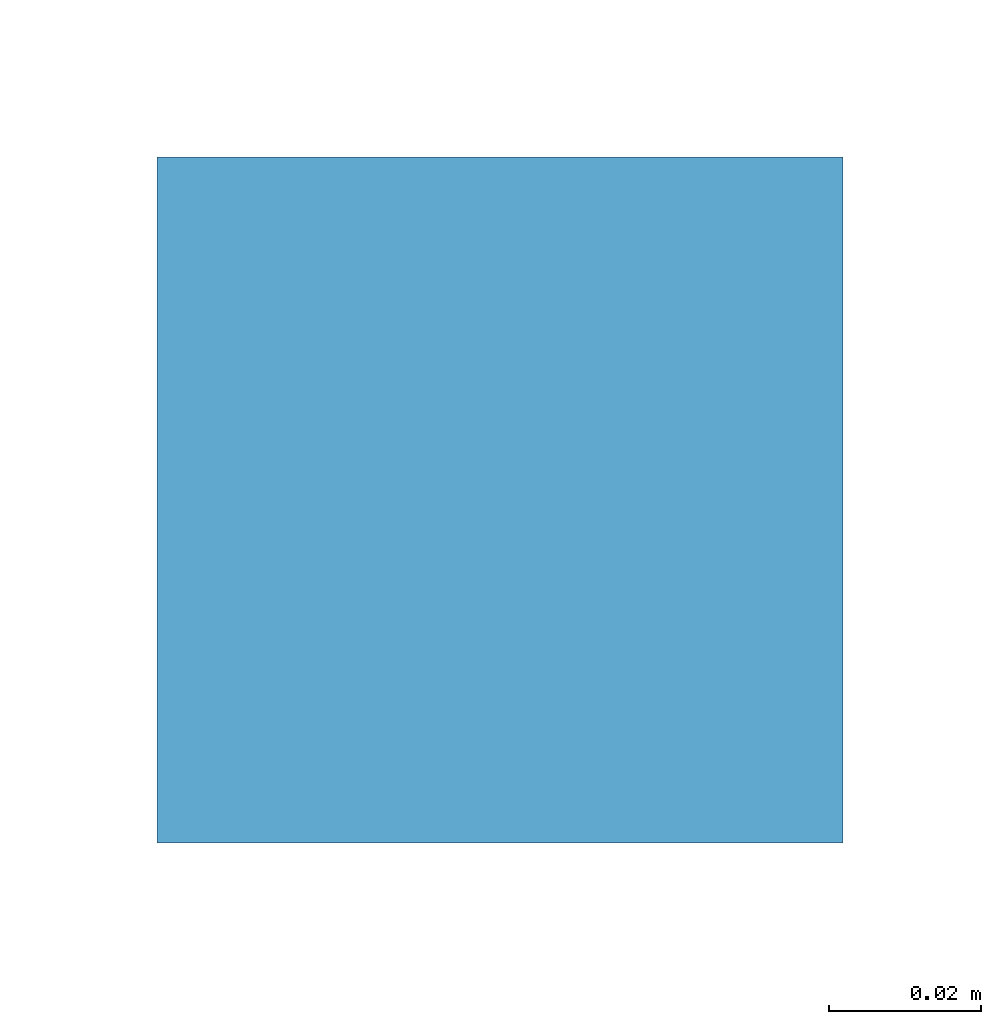
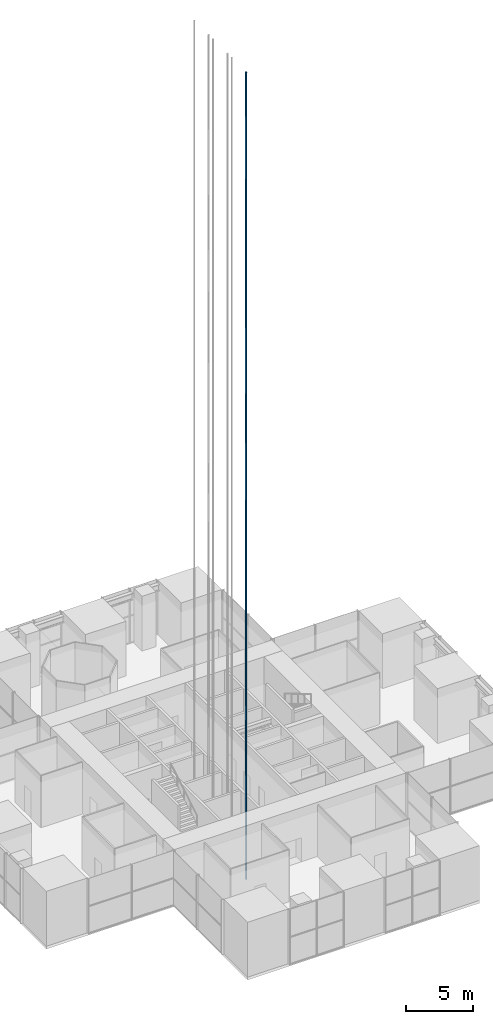
# One storey, part 8 of 16: 1 discrete accessory.
"""IFC4 building model written with IfcOpenShell, lengths in metres."""

from ifc_helpers import new_model, si_unit, direction, frame, origin, origin_2d, place, context, subcontext, project, spatial, rectangle, extrude, element, save


model = new_model("IFC4")

# Units and contexts
model_context = context("Model", 3, precision=1e-05, world=origin(), true_north=direction((0.0, 1.0)))
body_context = subcontext(model_context, "Body", "Model", "MODEL_VIEW")
ifc_project = project(units=[si_unit("LENGTHUNIT", "METRE"), si_unit("AREAUNIT", "SQUARE_METRE"), si_unit("VOLUMEUNIT", "CUBIC_METRE"), si_unit("PLANEANGLEUNIT", "RADIAN"), si_unit("MASSUNIT", "GRAM", prefix="KILO")], contexts=[model_context])

# Site, building, storey
site_placement = place(None, origin())
site = spatial("IfcSite", under=ifc_project, at=site_placement, CompositionType="ELEMENT")
building_placement = place(site_placement, origin())
building = spatial("IfcBuilding", under=site, at=building_placement, Name="Svetlomir Tower", CompositionType="ELEMENT")
storey_placement = place(building_placement, frame((0.0, 0.0, 91.5)))
storey = spatial("IfcBuildingStorey", under=building, at=storey_placement, Name="L21", CompositionType="ELEMENT", Elevation=91.5)

# Discrete accessory
discrete_accessory_placement = place(storey_placement, frame((18.300048828125, 12.824951171875, -1.400146484375), z_axis=(0.0, 0.0, 1.0), x_axis=(1.0, 0.0, 0.0)))
element("IfcDiscreteAccessory", 1, at=discrete_accessory_placement, inside=storey, Name="Lift LB1 guide rail 1", ObjectType="LIFT GUIDE RAIL", PredefinedType="USERDEFINED", context=body_context, shape_type="SweptSolid", body=[
    extrude(rectangle(XDim=0.090087890625, YDim=0.090087890625, at=origin_2d()), origin(), (0.0, 0.0, 1.0), 73.60009765625),
])

save(model, "model.ifc")
